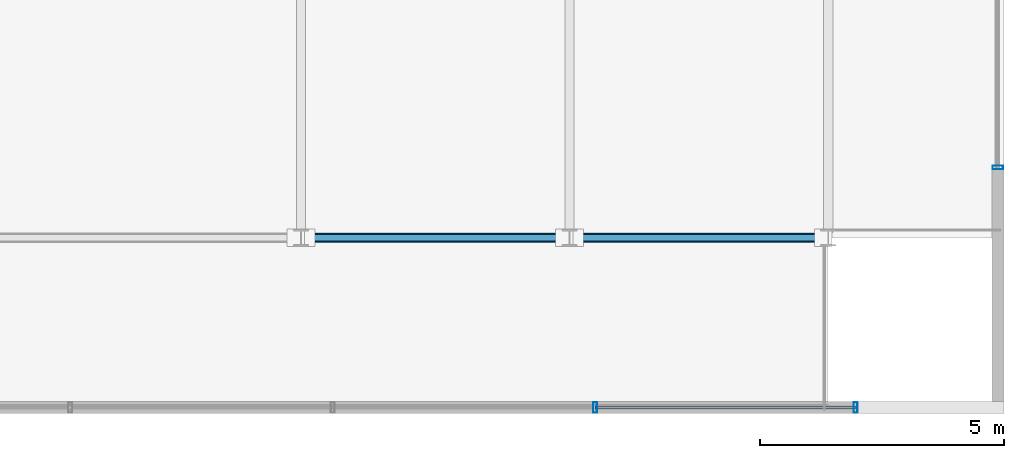
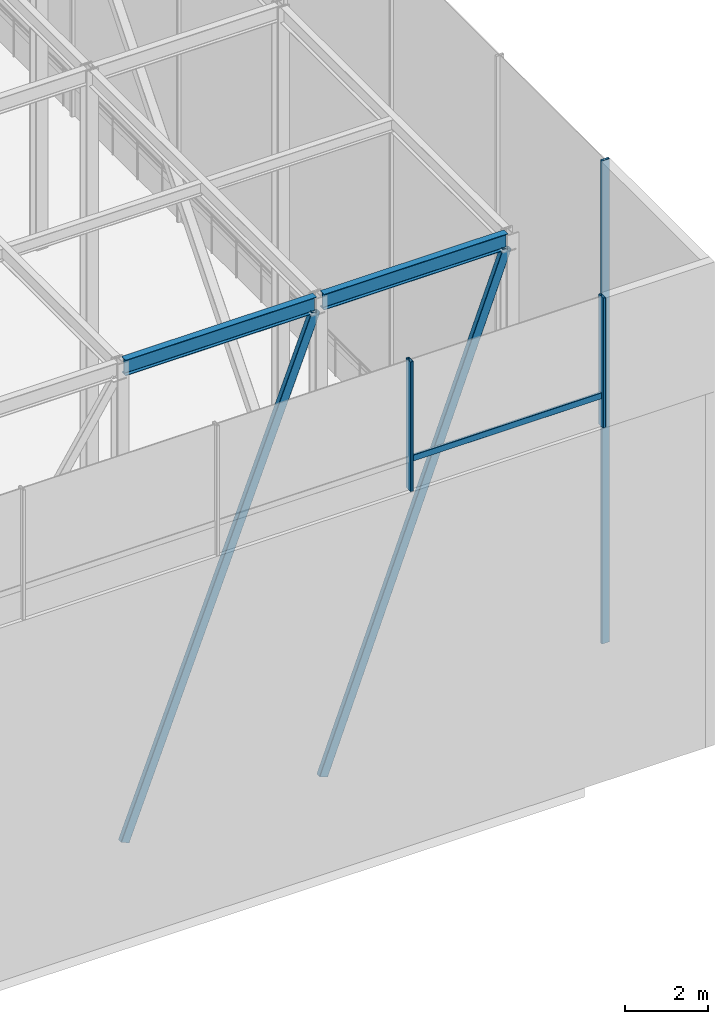
# One storey, part 21 of 42: 6 members, 2 beams, 2 elements without a shape of their own.
"""IFC4 building model written with IfcOpenShell, lengths in metres."""

from ifc_helpers import new_model, si_unit, direction, frame, origin, origin_2d, place, context, subcontext, project, spatial, hollow_rectangle, i_section, extrude, material, layer, layer_set, material_profile, profile_set, type_object, element, aggregate, save


model = new_model("IFC4")

# Units and contexts
model_context = context("Model", 3, precision=1e-05, world=origin(), true_north=direction((0.0, 1.0)))
body_context = subcontext(model_context, "Body", "Model", "MODEL_VIEW")
ifc_project = project(units=[si_unit("LENGTHUNIT", "METRE"), si_unit("AREAUNIT", "SQUARE_METRE"), si_unit("VOLUMEUNIT", "CUBIC_METRE"), si_unit("PLANEANGLEUNIT", "RADIAN"), si_unit("MASSUNIT", "GRAM", prefix="KILO")], contexts=[model_context])

# Site, building, storey
site_placement = place(None, origin())
site = spatial("IfcSite", under=ifc_project, at=site_placement, CompositionType="ELEMENT")
building_placement = place(site_placement, origin())
building = spatial("IfcBuilding", under=site, at=building_placement, Name="Korimba Cascade Residences", CompositionType="ELEMENT")
storey_placement = place(building_placement, frame((0.0, 0.0, 207.60009765625)))
storey = spatial("IfcBuildingStorey", under=building, at=storey_placement, Name="L60", CompositionType="ELEMENT", Elevation=207.60009765625)

# Beams
ifc_material_1 = material(Name="Steel S355", Category="steel")
ifc_material_profile_1 = material_profile(ifc_material_1, i_section(OverallWidth=0.19140625, OverallDepth=0.4599609375, WebThickness=0.010009765625, FlangeThickness=0.01611328125, FilletRadius=0.01025390625, at=origin_2d()), Name="Steel S355")
ifc_profile_set_1 = profile_set([ifc_material_profile_1], Name="Steel S355")
beam_type = type_object("IfcBeamType", Name="BM-STL-UB457", PredefinedType="JOIST", material=ifc_profile_set_1)
beam_1_placement = place(storey_placement, frame((118.205078125, -4.199951171875, 13.919921875), z_axis=(1.0, 0.0, 0.0), x_axis=(0.0, 1.0, 0.0)))
element("IfcBeam", 1, at=beam_1_placement, inside=storey, type_object=beam_type, Name="L60 Crown Cap Ring Beam E1.2", PredefinedType="JOIST", context=body_context, shape_type="SweptSolid", body=[
    extrude(i_section(OverallWidth=0.19140625, OverallDepth=0.4599609375, WebThickness=0.010009765625, FlangeThickness=0.01611328125, FilletRadius=0.01025390625, at=origin_2d()), origin(), (0.0, 0.0, 1.0), 5.2900390625),
])
beam_2_placement = place(storey_placement, frame((123.705078125, -4.199951171875, 13.919921875), z_axis=(1.0, 0.0, 0.0), x_axis=(0.0, 1.0, 0.0)))
element("IfcBeam", 2, at=beam_2_placement, inside=storey, type_object=beam_type, Name="L60 Crown Cap Ring Beam E1.3", PredefinedType="JOIST", context=body_context, shape_type="SweptSolid", body=[
    extrude(i_section(OverallWidth=0.19140625, OverallDepth=0.4599609375, WebThickness=0.010009765625, FlangeThickness=0.01611328125, FilletRadius=0.01025390625, at=origin_2d()), origin(), (0.0, 0.0, 1.0), 5.08984375),
])

# Curtain wall, member
ifc_material_2 = material(Name="Anodised Aluminium Curtain Wall Framing", Category="aluminium")
ifc_layer = layer(ifc_material_2, 0.179931640625)
ifc_layer_set = layer_set([ifc_layer], Name="Anodised Aluminium Curtain Wall Framing")
curtain_wall_type = type_object("IfcCurtainWallType", Name="CW-CRNE-SYS6", PredefinedType="NOTDEFINED", material=ifc_layer_set)
curtain_wall_1_placement = place(storey_placement, origin())
curtain_wall_1 = element("IfcCurtainWall", 3, at=curtain_wall_1_placement, inside=storey, type_object=curtain_wall_type, Name="L60 Curtain Wall CW-L60-CRN-E-1", PredefinedType="NOTDEFINED")
ifc_material_3 = material(Name="Anodised Aluminium Mullion", Category="aluminium")
ifc_material_profile_2 = material_profile(ifc_material_3, hollow_rectangle(XDim=0.080078125, YDim=0.219970703125, WallThickness=0.00634765625, InnerFilletRadius=0.00634765625, OuterFilletRadius=0.0126953125, at=origin_2d()), Name="Anodised Aluminium Mullion")
ifc_profile_set_2 = profile_set([ifc_material_profile_2], Name="Anodised Aluminium Mullion")
member_type_1 = type_object("IfcMemberType", Name="CWM-MUL-220", PredefinedType="MULLION", material=ifc_profile_set_2)
member_1_placement = place(storey_placement, frame((132.375, -2.760009765625, 0.0), z_axis=(0.0, 0.0, 1.0), x_axis=(0.0, 1.0, 0.0)))
member_1 = element("IfcMember", 4, at=member_1_placement, type_object=member_type_1, Name="CW-L60-CRN-E-1 Mullion 1", PredefinedType="MULLION", context=body_context, shape_type="SweptSolid", body=[
    extrude(hollow_rectangle(XDim=0.080078125, YDim=0.219970703125, WallThickness=0.00634765625, InnerFilletRadius=0.00634765625, OuterFilletRadius=0.0126953125, at=origin_2d()), origin(), (0.0, 0.0, 1.0), 14.14990234375),
])
aggregate(curtain_wall_1, [member_1])

# Curtain wall, members
curtain_wall_2_placement = place(storey_placement, origin())
curtain_wall_2 = element("IfcCurtainWall", 5, at=curtain_wall_2_placement, inside=storey, type_object=curtain_wall_type, Name="L60 Curtain Wall CW-L60-CRN-E-3", PredefinedType="NOTDEFINED")
member_2_placement = place(storey_placement, frame((124.125, -7.675048828125, 10.349853515625), z_axis=(0.0, 0.0, 1.0), x_axis=(1.0, 0.0, 0.0)))
member_2 = element("IfcMember", 6, at=member_2_placement, type_object=member_type_1, Name="CW-L60-CRN-E-3 Mullion 4", PredefinedType="MULLION", context=body_context, shape_type="SweptSolid", body=[
    extrude(hollow_rectangle(XDim=0.080078125, YDim=0.219970703125, WallThickness=0.00634765625, InnerFilletRadius=0.00634765625, OuterFilletRadius=0.0126953125, at=origin_2d()), origin(), (0.0, 0.0, 1.0), 3.800048828125),
])
member_3_placement = place(storey_placement, frame((129.4599609375, -7.675048828125, 10.349853515625), z_axis=(0.0, 0.0, 1.0), x_axis=(1.0, 0.0, 0.0)))
member_3 = element("IfcMember", 7, at=member_3_placement, type_object=member_type_1, Name="CW-L60-CRN-E-3 Mullion 5", PredefinedType="MULLION", context=body_context, shape_type="SweptSolid", body=[
    extrude(hollow_rectangle(XDim=0.080078125, YDim=0.219970703125, WallThickness=0.00634765625, InnerFilletRadius=0.00634765625, OuterFilletRadius=0.0126953125, at=origin_2d()), origin(), (0.0, 0.0, 1.0), 3.800048828125),
])
ifc_material_4 = material(Name="Anodised Aluminium Transom", Category="aluminium")
ifc_material_profile_3 = material_profile(ifc_material_4, hollow_rectangle(XDim=0.070068359375, YDim=0.179931640625, WallThickness=0.0048828125, InnerFilletRadius=0.0048828125, OuterFilletRadius=0.010009765625, at=origin_2d()), Name="Anodised Aluminium Transom")
ifc_profile_set_3 = profile_set([ifc_material_profile_3], Name="Anodised Aluminium Transom")
member_type_2 = type_object("IfcMemberType", Name="CWM-TRN-150", PredefinedType="USERDEFINED", material=ifc_profile_set_3)
member_4_placement = place(storey_placement, frame((124.125, -7.675048828125, 11.25), z_axis=(1.0, 0.0, 0.0), x_axis=(0.0, 1.0, 0.0)))
member_4 = element("IfcMember", 8, at=member_4_placement, type_object=member_type_2, Name="CW-L60-CRN-E-3 Transom 4", ObjectType="TRANSOM", PredefinedType="USERDEFINED", context=body_context, shape_type="SweptSolid", body=[
    extrude(hollow_rectangle(XDim=0.070068359375, YDim=0.179931640625, WallThickness=0.0048828125, InnerFilletRadius=0.0048828125, OuterFilletRadius=0.010009765625, at=origin_2d()), origin(), (0.0, 0.0, 1.0), 5.3349609375),
])
aggregate(curtain_wall_2, [member_2, member_3, member_4])

# Members
ifc_material_profile_4 = material_profile(ifc_material_1, hollow_rectangle(XDim=0.14990234375, YDim=0.25, WallThickness=0.009033203125, InnerFilletRadius=0.009033203125, OuterFilletRadius=0.01806640625, at=origin_2d()), Name="Steel S355")
ifc_profile_set_4 = profile_set([ifc_material_profile_4], Name="Steel S355")
member_type_3 = type_object("IfcMemberType", Name="MEM-CRN-RHS250", PredefinedType="BRACE", material=ifc_profile_set_4)
member_5_placement = place(storey_placement, frame((118.205078125, -4.199951171875, 0.0), z_axis=(0.360309176498, 0.0, 0.932832941813), x_axis=(0.0, 1.0, 0.0)))
element("IfcMember", 9, at=member_5_placement, inside=storey, type_object=member_type_3, Name="L60 CROWN FRAME Diagonal Brace E1.2", PredefinedType="BRACE", context=body_context, shape_type="SweptSolid", body=[
    extrude(hollow_rectangle(XDim=0.14990234375, YDim=0.25, WallThickness=0.009033203125, InnerFilletRadius=0.009033203125, OuterFilletRadius=0.01806640625, at=origin_2d()), origin(), (0.0, 0.0, 1.0), 14.681884765625),
])
member_6_placement = place(storey_placement, frame((123.705078125, -4.199951171875, 0.0), z_axis=(0.348356853903, 0.0, 0.937361991089), x_axis=(0.0, 1.0, 0.0)))
element("IfcMember", 10, at=member_6_placement, inside=storey, type_object=member_type_3, Name="L60 CROWN FRAME Diagonal Brace E1.3", PredefinedType="BRACE", context=body_context, shape_type="SweptSolid", body=[
    extrude(hollow_rectangle(XDim=0.14990234375, YDim=0.25, WallThickness=0.009033203125, InnerFilletRadius=0.009033203125, OuterFilletRadius=0.01806640625, at=origin_2d()), origin(), (0.0, 0.0, 1.0), 14.611083984375),
])

save(model, "model.ifc")
